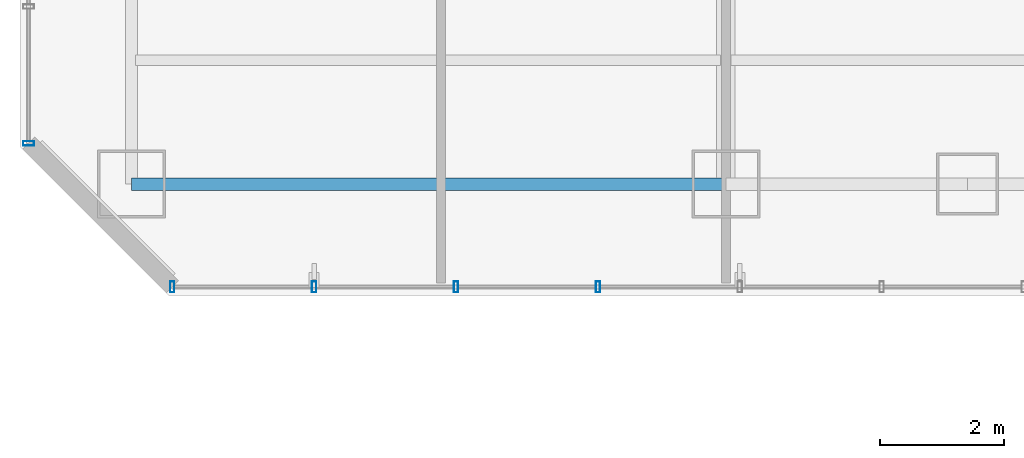
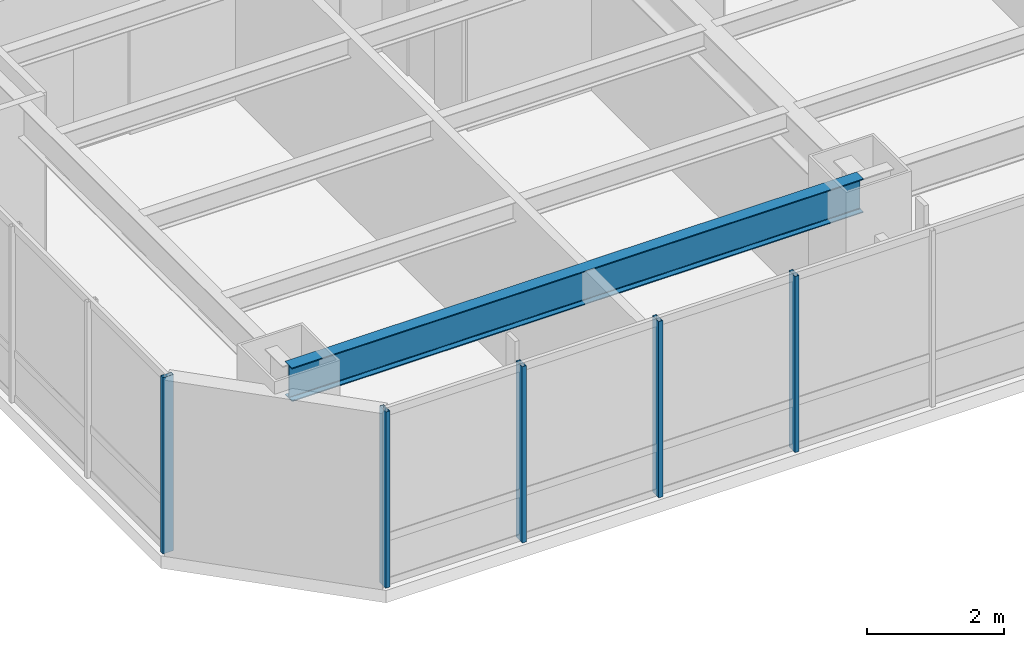
# One storey, part 2 of 32: 5 members, 1 beam, 2 elements without a shape of their own.
"""IFC4 building model written with IfcOpenShell, lengths in metres."""

from ifc_helpers import new_model, si_unit, direction, frame, origin, origin_2d, place, context, subcontext, project, spatial, hollow_rectangle, i_section, extrude, material, layer, layer_set, material_profile, profile_set, type_object, element, aggregate, save


model = new_model("IFC4")

# Units and contexts
model_context = context("Model", 3, precision=1e-05, world=origin(), true_north=direction((0.0, 1.0)))
body_context = subcontext(model_context, "Body", "Model", "MODEL_VIEW")
ifc_project = project(units=[si_unit("LENGTHUNIT", "METRE"), si_unit("AREAUNIT", "SQUARE_METRE"), si_unit("VOLUMEUNIT", "CUBIC_METRE"), si_unit("PLANEANGLEUNIT", "RADIAN"), si_unit("MASSUNIT", "GRAM", prefix="KILO")], contexts=[model_context])

# Site, building, storey
site_placement = place(None, origin())
site = spatial("IfcSite", under=ifc_project, at=site_placement, CompositionType="ELEMENT")
building_placement = place(site_placement, origin())
building = spatial("IfcBuilding", under=site, at=building_placement, Name="Hatsunagi Terrace Concourse", CompositionType="ELEMENT")
storey_placement = place(building_placement, frame((0.0, 0.0, 46.64990234375)))
storey = spatial("IfcBuildingStorey", under=building, at=storey_placement, Name="L11", CompositionType="ELEMENT", Elevation=46.64990234375)

# Curtain wall, members
ifc_material_1 = material(Name="Anodised Aluminium Alloy 6063-T5", Category="aluminium")
ifc_layer = layer(ifc_material_1, 0.199951171875)
ifc_layer_set = layer_set([ifc_layer], Name="HotelFacade_CW02")
curtain_wall_type = type_object("IfcCurtainWallType", Name="HotelFacade_CW02", PredefinedType="NOTDEFINED", material=ifc_layer_set)
curtain_wall_1_placement = place(storey_placement, origin())
curtain_wall_1 = element("IfcCurtainWall", 1, at=curtain_wall_1_placement, inside=storey, type_object=curtain_wall_type, Name="Unitised Curtain Wall CW-02 CW-L11-07", PredefinedType="NOTDEFINED")
ifc_material_2 = material(Name="Anodised Aluminium Alloy 6063-T5", Category="aluminium")
ifc_material_profile_1 = material_profile(ifc_material_2, hollow_rectangle(XDim=0.070068359375, YDim=0.179931640625, WallThickness=0.00390625, at=origin_2d()), Name="ALU-MUL-180x70x4")
ifc_profile_set_1 = profile_set([ifc_material_profile_1], Name="Anodised Aluminium Alloy 6063-T5")
member_type = type_object("IfcMemberType", Name="CurtainWallMullion_180x70", PredefinedType="MULLION", material=ifc_profile_set_1)
member_1_placement = place(storey_placement, frame((9.3330078125, 23.5400390625, 0.0), z_axis=(0.0, 0.0, 1.0), x_axis=(-1.0, 0.0, 0.0)))
member_1 = element("IfcMember", 2, at=member_1_placement, type_object=member_type, Name="Curtain Wall Mullion MUL-02", PredefinedType="MULLION", context=body_context, shape_type="SweptSolid", body=[
    extrude(hollow_rectangle(XDim=0.070068359375, YDim=0.179931640625, WallThickness=0.00390625, at=origin_2d()), origin(), (0.0, 0.0, 1.0), 3.130126953125),
])
member_2_placement = place(storey_placement, frame((7.041015625, 23.5400390625, 0.0), z_axis=(0.0, 0.0, 1.0), x_axis=(-1.0, 0.0, 0.0)))
member_2 = element("IfcMember", 3, at=member_2_placement, type_object=member_type, Name="Curtain Wall Mullion MUL-02", PredefinedType="MULLION", context=body_context, shape_type="SweptSolid", body=[
    extrude(hollow_rectangle(XDim=0.070068359375, YDim=0.179931640625, WallThickness=0.00390625, at=origin_2d()), origin(), (0.0, 0.0, 1.0), 3.130126953125),
])
member_3_placement = place(storey_placement, frame((4.75, 23.5400390625, 0.0), z_axis=(0.0, 0.0, 1.0), x_axis=(-1.0, 0.0, 0.0)))
member_3 = element("IfcMember", 4, at=member_3_placement, type_object=member_type, Name="Curtain Wall Mullion MUL-02", PredefinedType="MULLION", context=body_context, shape_type="SweptSolid", body=[
    extrude(hollow_rectangle(XDim=0.070068359375, YDim=0.179931640625, WallThickness=0.00390625, at=origin_2d()), origin(), (0.0, 0.0, 1.0), 3.130126953125),
])
member_4_placement = place(storey_placement, frame((2.4580078125, 23.5400390625, 0.0), z_axis=(0.0, 0.0, 1.0), x_axis=(-1.0, 0.0, 0.0)))
member_4 = element("IfcMember", 5, at=member_4_placement, type_object=member_type, Name="Curtain Wall Mullion MUL-02", PredefinedType="MULLION", context=body_context, shape_type="SweptSolid", body=[
    extrude(hollow_rectangle(XDim=0.070068359375, YDim=0.179931640625, WallThickness=0.00390625, at=origin_2d()), origin(), (0.0, 0.0, 1.0), 3.130126953125),
])
aggregate(curtain_wall_1, [member_1, member_2, member_3, member_4])

# Curtain wall, member
curtain_wall_2_placement = place(storey_placement, origin())
curtain_wall_2 = element("IfcCurtainWall", 6, at=curtain_wall_2_placement, inside=storey, type_object=curtain_wall_type, Name="Unitised Curtain Wall CW-02 CW-L11-09", PredefinedType="NOTDEFINED")
member_5_placement = place(storey_placement, frame((0.139892578125, 25.85791015625, 0.0), z_axis=(0.0, 0.0, 1.0), x_axis=(0.0, 1.0, 0.0)))
member_5 = element("IfcMember", 7, at=member_5_placement, type_object=member_type, Name="Curtain Wall Mullion MUL-02", PredefinedType="MULLION", context=body_context, shape_type="SweptSolid", body=[
    extrude(hollow_rectangle(XDim=0.070068359375, YDim=0.179931640625, WallThickness=0.00390625, at=origin_2d()), origin(), (0.0, 0.0, 1.0), 3.130126953125),
])
aggregate(curtain_wall_2, [member_5])

# Beam
ifc_material_3 = material(Name="Steel SN490B", Category="steel")
ifc_material_profile_2 = material_profile(ifc_material_3, i_section(OverallWidth=0.199951171875, OverallDepth=0.60009765625, WebThickness=0.010986328125, FlangeThickness=0.01708984375, FilletRadius=0.01806640625, at=origin_2d()), Name="H-600x200x11x17")
ifc_profile_set_2 = profile_set([ifc_material_profile_2], Name="Steel SN490B")
beam_type = type_object("IfcBeamType", Name="PerimeterSpandrel_H_600x200", PredefinedType="SPANDREL", material=ifc_profile_set_2)
beam_placement = place(storey_placement, frame((1.800048828125, 25.199951171875, 2.830078125), z_axis=(1.0, 0.0, 0.0), x_axis=(0.0, 1.0, 0.0)))
element("IfcBeam", 8, at=beam_placement, inside=storey, type_object=beam_type, Name="Beam SP-01 BM-L11-WS-1", PredefinedType="SPANDREL", context=body_context, shape_type="SweptSolid", body=[
    extrude(i_section(OverallWidth=0.199951171875, OverallDepth=0.60009765625, WebThickness=0.010986328125, FlangeThickness=0.01708984375, FilletRadius=0.01806640625, at=origin_2d()), origin(), (0.0, 0.0, 1.0), 9.599853515625),
])

save(model, "model.ifc")
